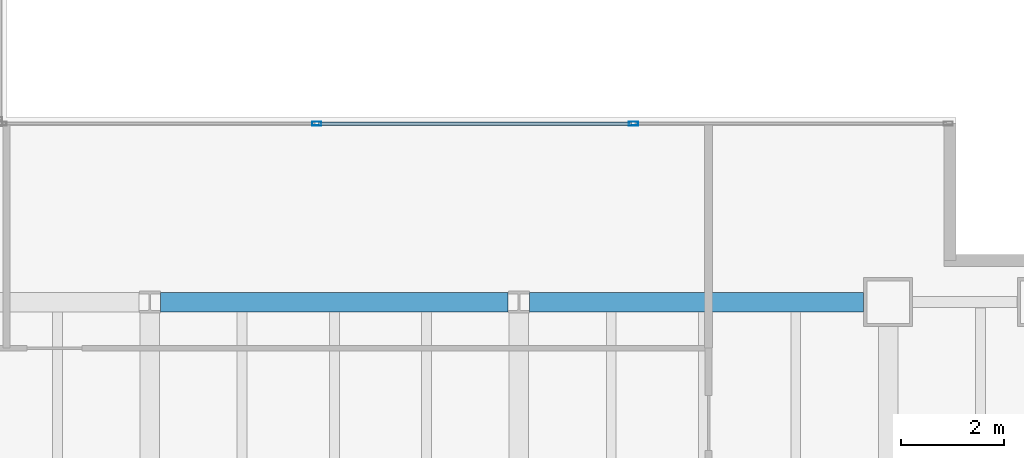
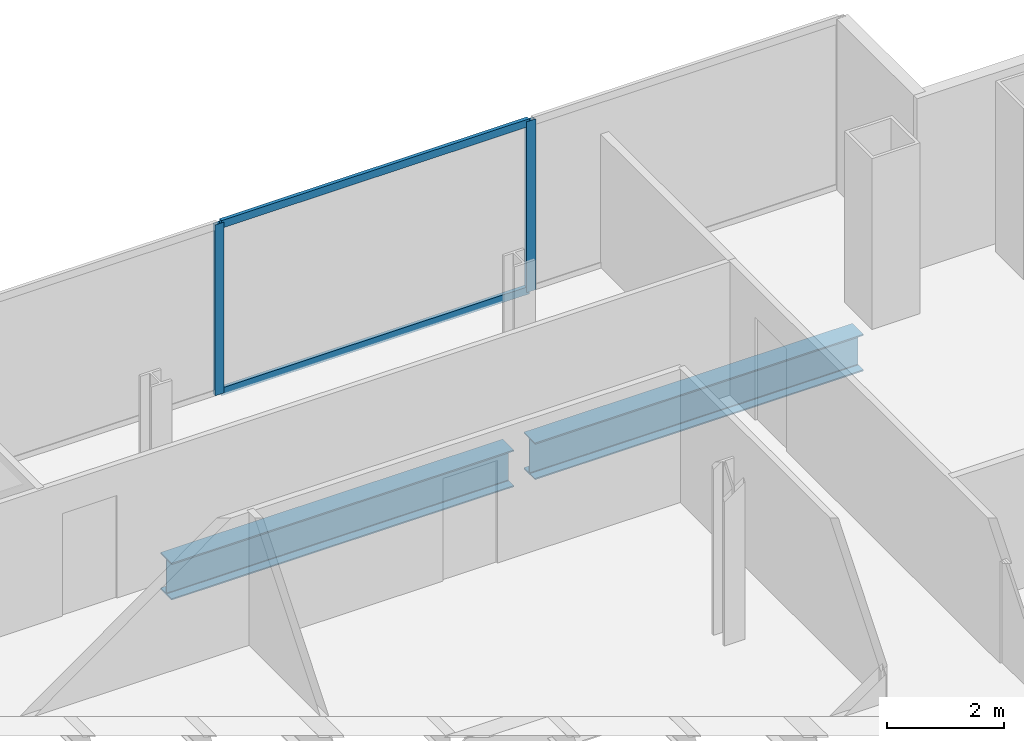
# One storey, part 14 of 23: 4 members, 2 beams, 1 element without a shape of its own.
"""IFC4 building model written with IfcOpenShell, lengths in metres."""

from ifc_helpers import new_model, si_unit, direction, frame, origin, origin_2d, place, context, subcontext, project, spatial, hollow_rectangle, i_section, extrude, material, material_profile, profile_set, type_object, element, aggregate, save


model = new_model("IFC4")

# Units and contexts
model_context = context("Model", 3, precision=1e-05, world=origin(), true_north=direction((0.0, 1.0)))
body_context = subcontext(model_context, "Body", "Model", "MODEL_VIEW")
ifc_project = project(units=[si_unit("LENGTHUNIT", "METRE"), si_unit("AREAUNIT", "SQUARE_METRE"), si_unit("VOLUMEUNIT", "CUBIC_METRE"), si_unit("PLANEANGLEUNIT", "RADIAN"), si_unit("MASSUNIT", "GRAM", prefix="KILO")], contexts=[model_context])

# Site, building, storey
site_placement = place(None, origin())
site = spatial("IfcSite", under=ifc_project, at=site_placement, CompositionType="ELEMENT")
building_placement = place(site_placement, origin())
building = spatial("IfcBuilding", under=site, at=building_placement, Name="Cobrela Telecom Tower", CompositionType="ELEMENT")
storey_placement = place(building_placement, frame((0.0, 0.0, 102.199951171875)))
storey = spatial("IfcBuildingStorey", under=building, at=storey_placement, Name="L25", CompositionType="ELEMENT", Elevation=102.199951171875)

# Beams
ifc_material_1 = material(Name="Steel ASTM A992 Grade 50", Category="steel")
ifc_material_profile_1 = material_profile(ifc_material_1, i_section(OverallWidth=0.381103515625, OverallDepth=0.77197265625, WebThickness=0.0166015625, FlangeThickness=0.027099609375, FilletRadius=0.01904296875, at=origin_2d()), Name="W30X173")
ifc_profile_set_1 = profile_set([ifc_material_profile_1], Name="Steel ASTM A992 Grade 50")
beam_type = type_object("IfcBeamType", Name="BM-GIRD-04", PredefinedType="USERDEFINED", material=ifc_profile_set_1)
beam_1_placement = place(storey_placement, frame((29.009521484375, 21.60009765625, -0.656005859375), z_axis=(1.0, 0.0, 0.0), x_axis=(0.0, 1.0, 0.0)))
element("IfcBeam", 1, at=beam_1_placement, inside=storey, type_object=beam_type, Name="L25 Primary Girder X20", ObjectType="GIRDER", PredefinedType="USERDEFINED", context=body_context, shape_type="SweptSolid", body=[
    extrude(i_section(OverallWidth=0.381103515625, OverallDepth=0.77197265625, WebThickness=0.0166015625, FlangeThickness=0.027099609375, FilletRadius=0.01904296875, at=origin_2d()), origin(), (0.0, 0.0, 1.0), 6.781005859375),
])
beam_2_placement = place(storey_placement, frame((36.20947265625, 21.60009765625, -0.656005859375), z_axis=(1.0, 0.0, 0.0), x_axis=(0.0, 1.0, 0.0)))
element("IfcBeam", 2, at=beam_2_placement, inside=storey, type_object=beam_type, Name="L25 Primary Girder X21", ObjectType="GIRDER", PredefinedType="USERDEFINED", context=body_context, shape_type="SweptSolid", body=[
    extrude(i_section(OverallWidth=0.381103515625, OverallDepth=0.77197265625, WebThickness=0.0166015625, FlangeThickness=0.027099609375, FilletRadius=0.01904296875, at=origin_2d()), origin(), (0.0, 0.0, 1.0), 6.510498046875),
])

# Curtain wall, members
ifc_material_2 = material(Name="Anodized Bronze Aluminium 6063-T6", Category="aluminium")
curtain_wall_type = type_object("IfcCurtainWallType", Name="CW-SYS-TEL", PredefinedType="USERDEFINED", material=ifc_material_2)
curtain_wall_placement = place(storey_placement, origin())
curtain_wall = element("IfcCurtainWall", 3, at=curtain_wall_placement, inside=storey, type_object=curtain_wall_type, Name="L25 Unitised Bronze Curtain Wall 11", ObjectType="UNITISED CURTAIN WALL", PredefinedType="USERDEFINED")
ifc_material_profile_2 = material_profile(ifc_material_2, hollow_rectangle(XDim=0.074951171875, YDim=0.179931640625, WallThickness=0.00390625, at=origin_2d()), Name="ALU 75x180x4")
ifc_profile_set_2 = profile_set([ifc_material_profile_2], Name="Anodized Bronze Aluminium 6063-T6")
member_type_1 = type_object("IfcMemberType", Name="CW-SYS-TEL-MUL", PredefinedType="MULLION", material=ifc_profile_set_2)
member_1_placement = place(storey_placement, frame((32.056640625, 25.080078125, 0.0), z_axis=(0.0, 0.0, 1.0), x_axis=(0.0, 1.0, 0.0)))
member_1 = element("IfcMember", 4, at=member_1_placement, type_object=member_type_1, Name="CW-TEL mullion 2", PredefinedType="MULLION", context=body_context, shape_type="SweptSolid", body=[
    extrude(hollow_rectangle(XDim=0.074951171875, YDim=0.179931640625, WallThickness=0.00390625, at=origin_2d()), origin(), (0.0, 0.0, 1.0), 3.580078125),
])
member_2_placement = place(storey_placement, frame((38.2333984375, 25.080078125, 0.0), z_axis=(0.0, 0.0, 1.0), x_axis=(0.0, 1.0, 0.0)))
member_2 = element("IfcMember", 5, at=member_2_placement, type_object=member_type_1, Name="CW-TEL mullion 3", PredefinedType="MULLION", context=body_context, shape_type="SweptSolid", body=[
    extrude(hollow_rectangle(XDim=0.074951171875, YDim=0.179931640625, WallThickness=0.00390625, at=origin_2d()), origin(), (0.0, 0.0, 1.0), 3.580078125),
])
ifc_material_profile_3 = material_profile(ifc_material_2, hollow_rectangle(XDim=0.070068359375, YDim=0.159912109375, WallThickness=0.00390625, at=origin_2d()), Name="ALU 70x160x4")
ifc_profile_set_3 = profile_set([ifc_material_profile_3], Name="Anodized Bronze Aluminium 6063-T6")
member_type_2 = type_object("IfcMemberType", Name="CW-SYS-TEL-TRN", PredefinedType="USERDEFINED", material=ifc_profile_set_3)
member_3_placement = place(storey_placement, frame((32.09423828125, 25.080078125, 0.03515625), z_axis=(1.0, 0.0, 0.0), x_axis=(0.0, 1.0, 0.0)))
member_3 = element("IfcMember", 6, at=member_3_placement, type_object=member_type_2, Name="CW-TEL transom 2.1", ObjectType="TRANSOM", PredefinedType="USERDEFINED", context=body_context, shape_type="SweptSolid", body=[
    extrude(hollow_rectangle(XDim=0.070068359375, YDim=0.159912109375, WallThickness=0.00390625, at=origin_2d()), origin(), (0.0, 0.0, 1.0), 6.1015625),
])
member_4_placement = place(storey_placement, frame((32.09423828125, 25.080078125, 3.545166015625), z_axis=(1.0, 0.0, 0.0), x_axis=(0.0, 1.0, 0.0)))
member_4 = element("IfcMember", 7, at=member_4_placement, type_object=member_type_2, Name="CW-TEL transom 2.2", ObjectType="TRANSOM", PredefinedType="USERDEFINED", context=body_context, shape_type="SweptSolid", body=[
    extrude(hollow_rectangle(XDim=0.070068359375, YDim=0.159912109375, WallThickness=0.00390625, at=origin_2d()), origin(), (0.0, 0.0, 1.0), 6.1015625),
])
aggregate(curtain_wall, [member_1, member_2, member_3, member_4])

save(model, "model.ifc")
